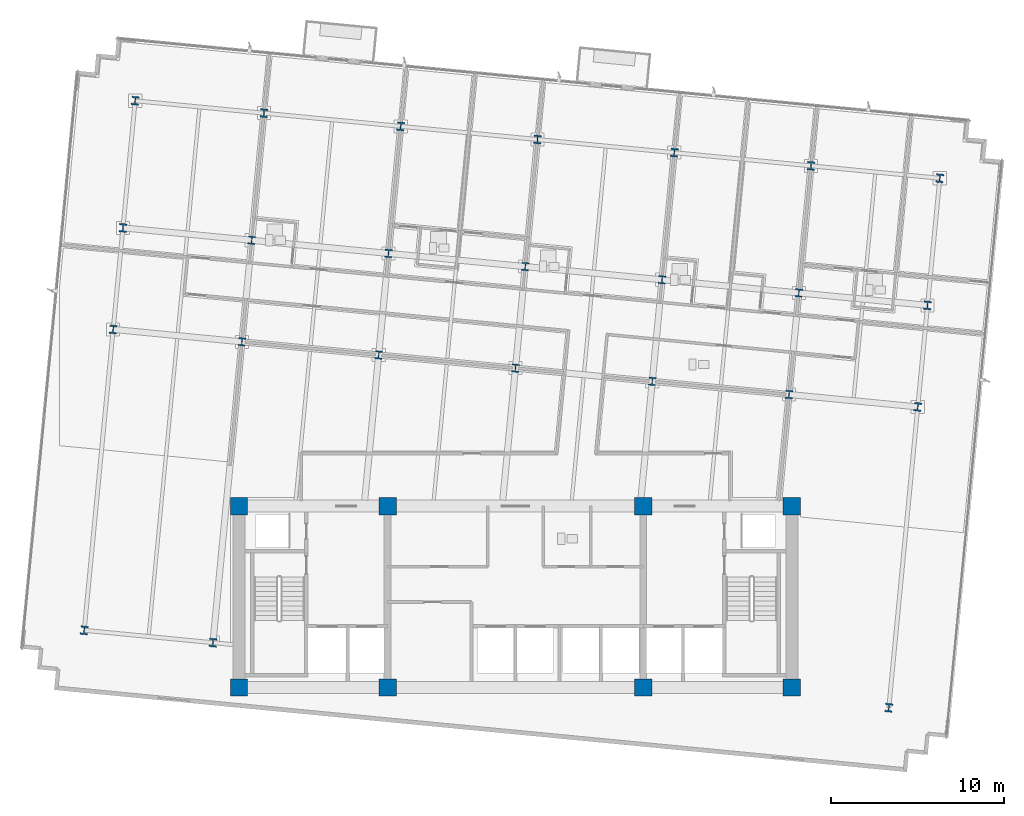
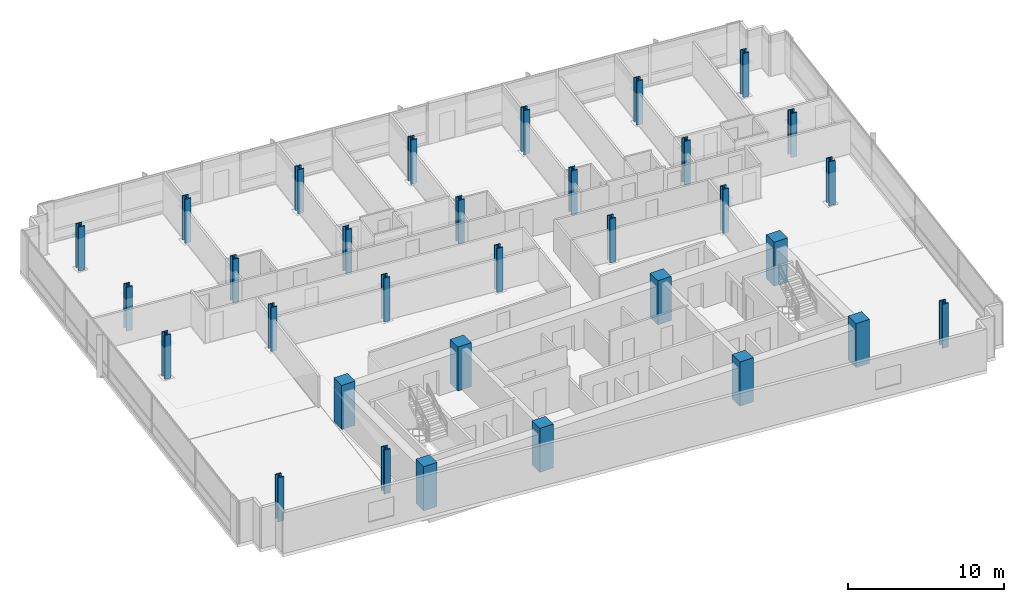
# One storey, part 1 of 17: 32 columns.
"""IFC4 building model written with IfcOpenShell, lengths in metres."""

from ifc_helpers import new_model, si_unit, direction, frame, origin, origin_2d, place, context, subcontext, project, spatial, rectangle, i_section, extrude, material, material_profile, profile_set, type_object, element, save


model = new_model("IFC4")

# Units and contexts
model_context = context("Model", 3, precision=1e-05, world=origin(), true_north=direction((0.0, 1.0)))
body_context = subcontext(model_context, "Body", "Model", "MODEL_VIEW")
ifc_project = project(units=[si_unit("LENGTHUNIT", "METRE"), si_unit("AREAUNIT", "SQUARE_METRE"), si_unit("VOLUMEUNIT", "CUBIC_METRE"), si_unit("PLANEANGLEUNIT", "RADIAN"), si_unit("MASSUNIT", "GRAM", prefix="KILO")], contexts=[model_context])

# Site, building, storey
site_placement = place(None, origin())
site = spatial("IfcSite", under=ifc_project, at=site_placement, CompositionType="ELEMENT")
building_placement = place(site_placement, origin())
building = spatial("IfcBuilding", under=site, at=building_placement, Name="Solmavex Isthmus Hotel", CompositionType="ELEMENT")
storey_placement = place(building_placement, frame((0.0, 0.0, 146.25)))
storey = spatial("IfcBuildingStorey", under=building, at=storey_placement, Name="L39", CompositionType="ELEMENT", Elevation=146.25)

# Columns
ifc_material_1 = material(Name="Concrete C60/75", Category="concrete")
ifc_material_profile_1 = material_profile(ifc_material_1, rectangle(XDim=1.0, YDim=1.0, at=origin_2d()), Name="RC1000X1000")
ifc_profile_set_1 = profile_set([ifc_material_profile_1], Name="Concrete C60/75")
column_type_1 = type_object("IfcColumnType", Name="COL-CC-1000", PredefinedType="COLUMN", material=ifc_profile_set_1)
for number, where, z_axis, x_axis, name in (
    (1, (-16.0, -13.0, 0.0), (0.0, 0.0, 1.0), (1.0, 0.0, 0.0), "Core Pilaster CC-SW L39"),
    (2, (-7.39990234375, -13.0, 0.0), (0.0, 0.0, 1.0), (1.0, 0.0, 0.0), "Core Pilaster CC-S1 L39"),
    (3, (7.39990234375, -13.0, 0.0), (0.0, 0.0, 1.0), (1.0, 0.0, 0.0), "Core Pilaster CC-S2 L39"),
    (4, (16.0, -13.0, 0.0), (0.0, 0.0, 1.0), (1.0, 0.0, 0.0), "Core Pilaster CC-SE L39"),
    (5, (-16.0, -2.5, 0.0), (0.0, 0.0, 1.0), (1.0, 0.0, 0.0), "Core Pilaster CC-NW L39"),
    (6, (-7.39990234375, -2.5, 0.0), (0.0, 0.0, 1.0), (1.0, 0.0, 0.0), "Core Pilaster CC-N1 L39"),
    (7, (7.39990234375, -2.5, 0.0), (0.0, 0.0, 1.0), (1.0, 0.0, 0.0), "Core Pilaster CC-N2 L39"),
    (8, (16.0, -2.5, 0.0), (0.0, 0.0, 1.0), (1.0, 0.0, 0.0), "Core Pilaster CC-NE L39"),
):
    element("IfcColumn", number, at=place(storey_placement, frame(where, z_axis=z_axis, x_axis=x_axis)), inside=storey, type_object=column_type_1, Name=name, PredefinedType="COLUMN", context=body_context, shape_type="SweptSolid", body=[
        extrude(rectangle(XDim=1.0, YDim=1.0, at=origin_2d()), origin(), (0.0, 0.0, 1.0), 3.449951171875),
    ])
ifc_material_2 = material(Name="Steel ASTM A913 Grade 65", Category="steel")
ifc_material_profile_2 = material_profile(ifc_material_2, i_section(OverallWidth=0.424072265625, OverallDepth=0.47412109375, WebThickness=0.047607421875, FlangeThickness=0.0771484375, FilletRadius=0.030517578125, at=origin_2d()), Name="W14X426")
ifc_profile_set_2 = profile_set([ifc_material_profile_2], Name="Steel ASTM A913 Grade 65")
column_type_2 = type_object("IfcColumnType", Name="COL-SC-W14X426", PredefinedType="COLUMN", material=ifc_profile_set_2)
for number, where, z_axis, x_axis, name in (
    (9, (-15.83740234375, 7.015380859375, 0.0), (0.0, 0.0, 1.0), (0.995396198367, -0.09584575252, 0.0), "Tower Column B3-U2V2 L39"),
    (10, (-15.271240234375, 12.896240234375, 0.0), (0.0, 0.0, 1.0), (0.995396198367, -0.09584575252, 0.0), "Tower Column B3-U2V3 L39"),
    (11, (-7.918212890625, 6.2529296875, 0.0), (0.0, 0.0, 1.0), (0.995396198367, -0.09584575252, 0.0), "Tower Column B3-U3V2 L39"),
    (12, (-7.351806640625, 12.1337890625, 0.0), (0.0, 0.0, 1.0), (0.995396198367, -0.09584575252, 0.0), "Tower Column B3-U3V3 L39"),
    (13, (0.001220703125, 5.490234375, 0.0), (0.0, 0.0, 1.0), (0.995396198367, -0.09584575252, 0.0), "Tower Column B3-U4V2 L39"),
    (14, (0.567626953125, 11.37109375, 0.0), (0.0, 0.0, 1.0), (0.995396198367, -0.09584575252, 0.0), "Tower Column B3-U4V3 L39"),
    (15, (7.920654296875, 4.727783203125, 0.0), (0.0, 0.0, 1.0), (0.995396198367, -0.09584575252, 0.0), "Tower Column B3-U5V2 L39"),
    (16, (8.48681640625, 10.608642578125, 0.0), (0.0, 0.0, 1.0), (0.995396198367, -0.09584575252, 0.0), "Tower Column B3-U5V3 L39"),
    (17, (15.840087890625, 3.96533203125, 0.0), (0.0, 0.0, 1.0), (0.995396198367, -0.09584575252, 0.0), "Tower Column B3-U6V2 L39"),
    (18, (16.40625, 9.845947265625, 0.0), (0.0, 0.0, 1.0), (0.995396198367, -0.09584575252, 0.0), "Tower Column B3-U6V3 L39"),
):
    element("IfcColumn", number, at=place(storey_placement, frame(where, z_axis=z_axis, x_axis=x_axis)), inside=storey, type_object=column_type_2, Name=name, PredefinedType="COLUMN", context=body_context, shape_type="SweptSolid", body=[
        extrude(i_section(OverallWidth=0.424072265625, OverallDepth=0.47412109375, WebThickness=0.047607421875, FlangeThickness=0.0771484375, FilletRadius=0.030517578125, at=origin_2d()), origin(), (0.0, 0.0, 1.0), 3.449951171875),
    ])
ifc_material_profile_3 = material_profile(ifc_material_2, i_section(OverallWidth=0.43212890625, OverallDepth=0.497802734375, WebThickness=0.0556640625, FlangeThickness=0.0888671875, FilletRadius=0.030517578125, at=origin_2d()), Name="W14X500")
ifc_profile_set_3 = profile_set([ifc_material_profile_3], Name="Steel ASTM A913 Grade 65")
column_type_3 = type_object("IfcColumnType", Name="COL-SC-W14X500", PredefinedType="COLUMN", material=ifc_profile_set_3)
for number, where, z_axis, x_axis, name in (
    (19, (-24.96826171875, -9.686279296875, 0.0), (0.0, 0.0, 1.0), (0.995396198367, -0.09584575252, 0.0), "Tower Column B3-U1V1 L39"),
    (20, (-23.291015625, 7.733154296875, 0.0), (0.0, 0.0, 1.0), (0.995396198367, -0.09584575252, 0.0), "Tower Column B3-U1V2 L39"),
    (21, (-22.724853515625, 13.614013671875, 0.0), (0.0, 0.0, 1.0), (0.995396198367, -0.09584575252, 0.0), "Tower Column B3-U1V3 L39"),
    (22, (-22.016357421875, 20.971923828125, 0.0), (0.0, 0.0, 1.0), (0.995396198367, -0.09584575252, 0.0), "Tower Column B3-U1V4 L39"),
    (23, (-17.5146484375, -10.404052734375, 0.0), (0.0, 0.0, 1.0), (0.995396198367, -0.09584575252, 0.0), "Tower Column B3-U2V1 L39"),
    (24, (-14.562744140625, 20.254150390625, 0.0), (0.0, 0.0, 1.0), (0.995396198367, -0.09584575252, 0.0), "Tower Column B3-U2V4 L39"),
    (25, (-6.643310546875, 19.49169921875, 0.0), (0.0, 0.0, 1.0), (0.995396198367, -0.09584575252, 0.0), "Tower Column B3-U3V4 L39"),
    (26, (1.276123046875, 18.72900390625, 0.0), (0.0, 0.0, 1.0), (0.995396198367, -0.09584575252, 0.0), "Tower Column B3-U4V4 L39"),
    (27, (9.1953125, 17.966552734375, 0.0), (0.0, 0.0, 1.0), (0.995396198367, -0.09584575252, 0.0), "Tower Column B3-U5V4 L39"),
    (28, (17.11474609375, 17.2041015625, 0.0), (0.0, 0.0, 1.0), (0.995396198367, -0.09584575252, 0.0), "Tower Column B3-U6V4 L39"),
    (29, (21.6162109375, -14.171875, 0.0), (0.0, 0.0, 1.0), (0.995396198367, -0.09584575252, 0.0), "Tower Column B3-U7V1 L39"),
    (30, (23.29345703125, 3.24755859375, 0.0), (0.0, 0.0, 1.0), (0.995396198367, -0.09584575252, 0.0), "Tower Column B3-U7V2 L39"),
    (31, (23.85986328125, 9.12841796875, 0.0), (0.0, 0.0, 1.0), (0.995396198367, -0.09584575252, 0.0), "Tower Column B3-U7V3 L39"),
    (32, (24.568359375, 16.486328125, 0.0), (0.0, 0.0, 1.0), (0.995396198367, -0.09584575252, 0.0), "Tower Column B3-U7V4 L39"),
):
    element("IfcColumn", number, at=place(storey_placement, frame(where, z_axis=z_axis, x_axis=x_axis)), inside=storey, type_object=column_type_3, Name=name, PredefinedType="COLUMN", context=body_context, shape_type="SweptSolid", body=[
        extrude(i_section(OverallWidth=0.43212890625, OverallDepth=0.497802734375, WebThickness=0.0556640625, FlangeThickness=0.0888671875, FilletRadius=0.030517578125, at=origin_2d()), origin(), (0.0, 0.0, 1.0), 3.449951171875),
    ])

save(model, "model.ifc")
